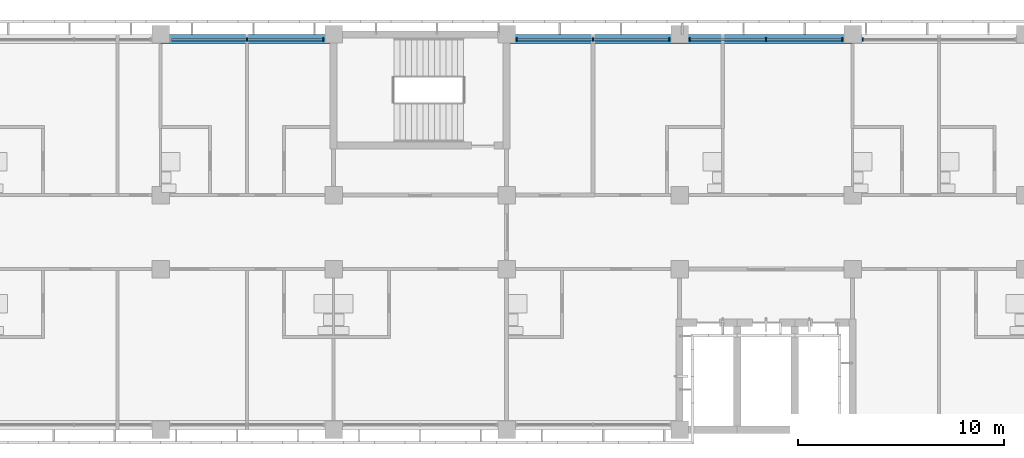
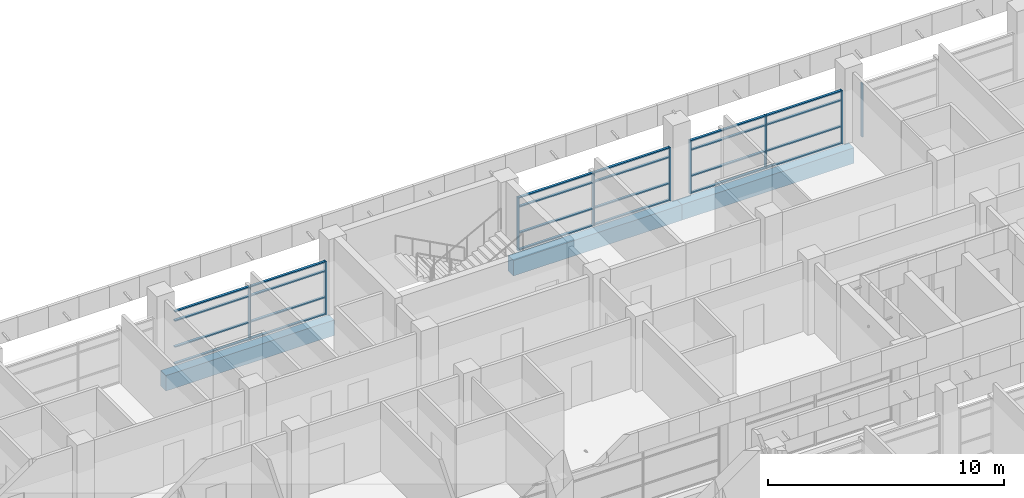
# One storey, part 18 of 74: 33 members, 3 beams, 4 elements without a shape of their own.
"""IFC4 building model written with IfcOpenShell, lengths in metres."""

from ifc_helpers import new_model, si_unit, direction, frame, origin, origin_2d, place, context, subcontext, project, spatial, rectangle, extrude, material, material_profile, profile_set, type_object, element, aggregate, save


model = new_model("IFC4")

# Units and contexts
model_context = context("Model", 3, precision=1e-05, world=origin(), true_north=direction((0.0, 1.0)))
body_context = subcontext(model_context, "Body", "Model", "MODEL_VIEW")
ifc_project = project(units=[si_unit("LENGTHUNIT", "METRE"), si_unit("AREAUNIT", "SQUARE_METRE"), si_unit("VOLUMEUNIT", "CUBIC_METRE"), si_unit("PLANEANGLEUNIT", "RADIAN"), si_unit("MASSUNIT", "GRAM", prefix="KILO")], contexts=[model_context])

# Site, building, storey
site_placement = place(None, origin())
site = spatial("IfcSite", under=ifc_project, at=site_placement, CompositionType="ELEMENT")
building_placement = place(site_placement, origin())
building = spatial("IfcBuilding", under=site, at=building_placement, Name="Bougainvillea Quay General Hospital", CompositionType="ELEMENT")
storey_placement = place(building_placement, frame((0.0, 0.0, 21.0)))
storey = spatial("IfcBuildingStorey", under=building, at=storey_placement, Name="L04", CompositionType="ELEMENT", Elevation=21.0)

# Curtain wall, member
ifc_material_1 = material(Name="Aluminium curtain wall system, powder-coated glazed", Category="aluminium")
curtain_wall_type = type_object("IfcCurtainWallType", Name="Unitised curtain wall CW-3730", PredefinedType="NOTDEFINED", material=ifc_material_1)
curtain_wall_1_placement = place(storey_placement, origin())
curtain_wall_1 = element("IfcCurtainWall", 1, at=curtain_wall_1_placement, inside=storey, type_object=curtain_wall_type, Name="CW-4200 01", PredefinedType="NOTDEFINED")
ifc_material_2 = material(Name="Aluminium mullion, powder-coated charcoal", Category="aluminium")
ifc_material_profile_1 = material_profile(ifc_material_2, rectangle(XDim=0.159912109375, YDim=0.06005859375, at=origin_2d()))
ifc_profile_set_1 = profile_set([ifc_material_profile_1], Name="Aluminium mullion, powder-coated charcoal")
member_type_1 = type_object("IfcMemberType", Name="Curtain wall mullion 160x60", PredefinedType="MULLION", material=ifc_profile_set_1)
member_1_placement = place(storey_placement, frame((160.10009765625, 159.35009765625, 0.0), z_axis=(0.0, 0.0, 1.0), x_axis=(0.0, -1.0, 0.0)))
member_1 = element("IfcMember", 2, at=member_1_placement, type_object=member_type_1, Name="CW-4200 mullion 3", PredefinedType="MULLION", context=body_context, shape_type="SweptSolid", body=[
    extrude(rectangle(XDim=0.159912109375, YDim=0.06005859375, at=origin_2d()), origin(), (0.0, 0.0, 1.0), 2.75),
])
aggregate(curtain_wall_1, [member_1])

# Curtain wall, members
curtain_wall_2_placement = place(storey_placement, origin())
curtain_wall_2 = element("IfcCurtainWall", 3, at=curtain_wall_2_placement, inside=storey, type_object=curtain_wall_type, Name="CW-4200 02", PredefinedType="NOTDEFINED")
member_2_placement = place(storey_placement, frame((159.10009765625, 159.35009765625, 0.0), z_axis=(0.0, 0.0, 1.0), x_axis=(0.0, -1.0, 0.0)))
member_2 = element("IfcMember", 4, at=member_2_placement, type_object=member_type_1, Name="CW-4200 mullion 1", PredefinedType="MULLION", context=body_context, shape_type="SweptSolid", body=[
    extrude(rectangle(XDim=0.159912109375, YDim=0.06005859375, at=origin_2d()), origin(), (0.0, 0.0, 1.0), 2.75),
])
member_3_placement = place(storey_placement, frame((155.39990234375, 159.35009765625, 0.0), z_axis=(0.0, 0.0, 1.0), x_axis=(0.0, -1.0, 0.0)))
member_3 = element("IfcMember", 5, at=member_3_placement, type_object=member_type_1, Name="CW-4200 mullion 2", PredefinedType="MULLION", context=body_context, shape_type="SweptSolid", body=[
    extrude(rectangle(XDim=0.159912109375, YDim=0.06005859375, at=origin_2d()), origin(), (0.0, 0.0, 1.0), 2.75),
])
member_4_placement = place(storey_placement, frame((151.699951171875, 159.35009765625, 0.0), z_axis=(0.0, 0.0, 1.0), x_axis=(0.0, -1.0, 0.0)))
member_4 = element("IfcMember", 6, at=member_4_placement, type_object=member_type_1, Name="CW-4200 mullion 3", PredefinedType="MULLION", context=body_context, shape_type="SweptSolid", body=[
    extrude(rectangle(XDim=0.159912109375, YDim=0.06005859375, at=origin_2d()), origin(), (0.0, 0.0, 1.0), 2.75),
])

curtain_wall_3_placement = place(storey_placement, origin())
curtain_wall_3 = element("IfcCurtainWall", 7, at=curtain_wall_3_placement, inside=storey, type_object=curtain_wall_type, Name="CW-4200 03", PredefinedType="NOTDEFINED")
member_5_placement = place(storey_placement, frame((150.699951171875, 159.35009765625, 0.0), z_axis=(0.0, 0.0, 1.0), x_axis=(0.0, -1.0, 0.0)))
member_5 = element("IfcMember", 8, at=member_5_placement, type_object=member_type_1, Name="CW-4200 mullion 1", PredefinedType="MULLION", context=body_context, shape_type="SweptSolid", body=[
    extrude(rectangle(XDim=0.159912109375, YDim=0.06005859375, at=origin_2d()), origin(), (0.0, 0.0, 1.0), 2.75),
])
member_6_placement = place(storey_placement, frame((147.0, 159.35009765625, 0.0), z_axis=(0.0, 0.0, 1.0), x_axis=(0.0, -1.0, 0.0)))
member_6 = element("IfcMember", 9, at=member_6_placement, type_object=member_type_1, Name="CW-4200 mullion 2", PredefinedType="MULLION", context=body_context, shape_type="SweptSolid", body=[
    extrude(rectangle(XDim=0.159912109375, YDim=0.06005859375, at=origin_2d()), origin(), (0.0, 0.0, 1.0), 2.75),
])
member_7_placement = place(storey_placement, frame((143.300048828125, 159.35009765625, 0.0), z_axis=(0.0, 0.0, 1.0), x_axis=(0.0, -1.0, 0.0)))
member_7 = element("IfcMember", 10, at=member_7_placement, type_object=member_type_1, Name="CW-4200 mullion 3", PredefinedType="MULLION", context=body_context, shape_type="SweptSolid", body=[
    extrude(rectangle(XDim=0.159912109375, YDim=0.06005859375, at=origin_2d()), origin(), (0.0, 0.0, 1.0), 2.75),
])

curtain_wall_4_placement = place(storey_placement, origin())
curtain_wall_4 = element("IfcCurtainWall", 11, at=curtain_wall_4_placement, inside=storey, type_object=curtain_wall_type, Name="CW-4200 04", PredefinedType="NOTDEFINED")
member_8_placement = place(storey_placement, frame((133.89990234375, 159.35009765625, 0.0), z_axis=(0.0, 0.0, 1.0), x_axis=(0.0, -1.0, 0.0)))
member_8 = element("IfcMember", 12, at=member_8_placement, type_object=member_type_1, Name="CW-4200 mullion 1", PredefinedType="MULLION", context=body_context, shape_type="SweptSolid", body=[
    extrude(rectangle(XDim=0.159912109375, YDim=0.06005859375, at=origin_2d()), origin(), (0.0, 0.0, 1.0), 2.75),
])
member_9_placement = place(storey_placement, frame((130.199951171875, 159.35009765625, 0.0), z_axis=(0.0, 0.0, 1.0), x_axis=(0.0, -1.0, 0.0)))
member_9 = element("IfcMember", 13, at=member_9_placement, type_object=member_type_1, Name="CW-4200 mullion 2", PredefinedType="MULLION", context=body_context, shape_type="SweptSolid", body=[
    extrude(rectangle(XDim=0.159912109375, YDim=0.06005859375, at=origin_2d()), origin(), (0.0, 0.0, 1.0), 2.75),
])

# Member
ifc_material_3 = material(Name="Aluminium transom, powder-coated charcoal", Category="aluminium")
ifc_material_profile_2 = material_profile(ifc_material_3, rectangle(XDim=0.1201171875, YDim=0.06005859375, at=origin_2d()))
ifc_profile_set_2 = profile_set([ifc_material_profile_2], Name="Aluminium transom, powder-coated charcoal")
member_type_2 = type_object("IfcMemberType", Name="Curtain wall transom 120x60", PredefinedType="USERDEFINED", material=ifc_profile_set_2)
member_10_placement = place(storey_placement, frame((159.070068359375, 159.35009765625, 0.030029296875), z_axis=(-1.0, 0.0, 0.0), x_axis=(0.0, -1.0, 0.0)))
member_10 = element("IfcMember", 14, at=member_10_placement, type_object=member_type_2, Name="CW-4200 transom 1.1", ObjectType="TRANSOM", PredefinedType="USERDEFINED", context=body_context, shape_type="SweptSolid", body=[
    extrude(rectangle(XDim=0.1201171875, YDim=0.06005859375, at=origin_2d()), origin(), (0.0, 0.0, 1.0), 3.64013671875),
])

member_11_placement = place(storey_placement, frame((159.070068359375, 159.35009765625, 0.89990234375), z_axis=(-1.0, 0.0, 0.0), x_axis=(0.0, -1.0, 0.0)))
member_11 = element("IfcMember", 15, at=member_11_placement, type_object=member_type_2, Name="CW-4200 transom 1.2", ObjectType="TRANSOM", PredefinedType="USERDEFINED", context=body_context, shape_type="SweptSolid", body=[
    extrude(rectangle(XDim=0.1201171875, YDim=0.06005859375, at=origin_2d()), origin(), (0.0, 0.0, 1.0), 3.64013671875),
])

member_12_placement = place(storey_placement, frame((159.070068359375, 159.35009765625, 2.25), z_axis=(-1.0, 0.0, 0.0), x_axis=(0.0, -1.0, 0.0)))
member_12 = element("IfcMember", 16, at=member_12_placement, type_object=member_type_2, Name="CW-4200 transom 1.3", ObjectType="TRANSOM", PredefinedType="USERDEFINED", context=body_context, shape_type="SweptSolid", body=[
    extrude(rectangle(XDim=0.1201171875, YDim=0.06005859375, at=origin_2d()), origin(), (0.0, 0.0, 1.0), 3.64013671875),
])

member_13_placement = place(storey_placement, frame((159.070068359375, 159.35009765625, 2.719970703125), z_axis=(-1.0, 0.0, 0.0), x_axis=(0.0, -1.0, 0.0)))
member_13 = element("IfcMember", 17, at=member_13_placement, type_object=member_type_2, Name="CW-4200 transom 1.4", ObjectType="TRANSOM", PredefinedType="USERDEFINED", context=body_context, shape_type="SweptSolid", body=[
    extrude(rectangle(XDim=0.1201171875, YDim=0.06005859375, at=origin_2d()), origin(), (0.0, 0.0, 1.0), 3.64013671875),
])

member_14_placement = place(storey_placement, frame((155.3701171875, 159.35009765625, 0.030029296875), z_axis=(-1.0, 0.0, 0.0), x_axis=(0.0, -1.0, 0.0)))
member_14 = element("IfcMember", 18, at=member_14_placement, type_object=member_type_2, Name="CW-4200 transom 2.1", ObjectType="TRANSOM", PredefinedType="USERDEFINED", context=body_context, shape_type="SweptSolid", body=[
    extrude(rectangle(XDim=0.1201171875, YDim=0.06005859375, at=origin_2d()), origin(), (0.0, 0.0, 1.0), 3.64013671875),
])

member_15_placement = place(storey_placement, frame((155.3701171875, 159.35009765625, 0.89990234375), z_axis=(-1.0, 0.0, 0.0), x_axis=(0.0, -1.0, 0.0)))
member_15 = element("IfcMember", 19, at=member_15_placement, type_object=member_type_2, Name="CW-4200 transom 2.2", ObjectType="TRANSOM", PredefinedType="USERDEFINED", context=body_context, shape_type="SweptSolid", body=[
    extrude(rectangle(XDim=0.1201171875, YDim=0.06005859375, at=origin_2d()), origin(), (0.0, 0.0, 1.0), 3.64013671875),
])

member_16_placement = place(storey_placement, frame((155.3701171875, 159.35009765625, 2.25), z_axis=(-1.0, 0.0, 0.0), x_axis=(0.0, -1.0, 0.0)))
member_16 = element("IfcMember", 20, at=member_16_placement, type_object=member_type_2, Name="CW-4200 transom 2.3", ObjectType="TRANSOM", PredefinedType="USERDEFINED", context=body_context, shape_type="SweptSolid", body=[
    extrude(rectangle(XDim=0.1201171875, YDim=0.06005859375, at=origin_2d()), origin(), (0.0, 0.0, 1.0), 3.64013671875),
])

member_17_placement = place(storey_placement, frame((155.3701171875, 159.35009765625, 2.719970703125), z_axis=(-1.0, 0.0, 0.0), x_axis=(0.0, -1.0, 0.0)))
member_17 = element("IfcMember", 21, at=member_17_placement, type_object=member_type_2, Name="CW-4200 transom 2.4", ObjectType="TRANSOM", PredefinedType="USERDEFINED", context=body_context, shape_type="SweptSolid", body=[
    extrude(rectangle(XDim=0.1201171875, YDim=0.06005859375, at=origin_2d()), origin(), (0.0, 0.0, 1.0), 3.64013671875),
])

aggregate(curtain_wall_2, [member_2, member_3, member_4, member_10, member_11, member_12, member_13, member_14, member_15, member_16, member_17])

member_18_placement = place(storey_placement, frame((150.669921875, 159.35009765625, 0.030029296875), z_axis=(-1.0, 0.0, 0.0), x_axis=(0.0, -1.0, 0.0)))
member_18 = element("IfcMember", 22, at=member_18_placement, type_object=member_type_2, Name="CW-4200 transom 1.1", ObjectType="TRANSOM", PredefinedType="USERDEFINED", context=body_context, shape_type="SweptSolid", body=[
    extrude(rectangle(XDim=0.1201171875, YDim=0.06005859375, at=origin_2d()), origin(), (0.0, 0.0, 1.0), 3.639892578125),
])

member_19_placement = place(storey_placement, frame((150.669921875, 159.35009765625, 0.89990234375), z_axis=(-1.0, 0.0, 0.0), x_axis=(0.0, -1.0, 0.0)))
member_19 = element("IfcMember", 23, at=member_19_placement, type_object=member_type_2, Name="CW-4200 transom 1.2", ObjectType="TRANSOM", PredefinedType="USERDEFINED", context=body_context, shape_type="SweptSolid", body=[
    extrude(rectangle(XDim=0.1201171875, YDim=0.06005859375, at=origin_2d()), origin(), (0.0, 0.0, 1.0), 3.639892578125),
])

member_20_placement = place(storey_placement, frame((150.669921875, 159.35009765625, 2.25), z_axis=(-1.0, 0.0, 0.0), x_axis=(0.0, -1.0, 0.0)))
member_20 = element("IfcMember", 24, at=member_20_placement, type_object=member_type_2, Name="CW-4200 transom 1.3", ObjectType="TRANSOM", PredefinedType="USERDEFINED", context=body_context, shape_type="SweptSolid", body=[
    extrude(rectangle(XDim=0.1201171875, YDim=0.06005859375, at=origin_2d()), origin(), (0.0, 0.0, 1.0), 3.639892578125),
])

member_21_placement = place(storey_placement, frame((150.669921875, 159.35009765625, 2.719970703125), z_axis=(-1.0, 0.0, 0.0), x_axis=(0.0, -1.0, 0.0)))
member_21 = element("IfcMember", 25, at=member_21_placement, type_object=member_type_2, Name="CW-4200 transom 1.4", ObjectType="TRANSOM", PredefinedType="USERDEFINED", context=body_context, shape_type="SweptSolid", body=[
    extrude(rectangle(XDim=0.1201171875, YDim=0.06005859375, at=origin_2d()), origin(), (0.0, 0.0, 1.0), 3.639892578125),
])

member_22_placement = place(storey_placement, frame((146.969970703125, 159.35009765625, 0.030029296875), z_axis=(-1.0, 0.0, 0.0), x_axis=(0.0, -1.0, 0.0)))
member_22 = element("IfcMember", 26, at=member_22_placement, type_object=member_type_2, Name="CW-4200 transom 2.1", ObjectType="TRANSOM", PredefinedType="USERDEFINED", context=body_context, shape_type="SweptSolid", body=[
    extrude(rectangle(XDim=0.1201171875, YDim=0.06005859375, at=origin_2d()), origin(), (0.0, 0.0, 1.0), 3.639892578125),
])

member_23_placement = place(storey_placement, frame((146.969970703125, 159.35009765625, 0.89990234375), z_axis=(-1.0, 0.0, 0.0), x_axis=(0.0, -1.0, 0.0)))
member_23 = element("IfcMember", 27, at=member_23_placement, type_object=member_type_2, Name="CW-4200 transom 2.2", ObjectType="TRANSOM", PredefinedType="USERDEFINED", context=body_context, shape_type="SweptSolid", body=[
    extrude(rectangle(XDim=0.1201171875, YDim=0.06005859375, at=origin_2d()), origin(), (0.0, 0.0, 1.0), 3.639892578125),
])

member_24_placement = place(storey_placement, frame((146.969970703125, 159.35009765625, 2.25), z_axis=(-1.0, 0.0, 0.0), x_axis=(0.0, -1.0, 0.0)))
member_24 = element("IfcMember", 28, at=member_24_placement, type_object=member_type_2, Name="CW-4200 transom 2.3", ObjectType="TRANSOM", PredefinedType="USERDEFINED", context=body_context, shape_type="SweptSolid", body=[
    extrude(rectangle(XDim=0.1201171875, YDim=0.06005859375, at=origin_2d()), origin(), (0.0, 0.0, 1.0), 3.639892578125),
])

member_25_placement = place(storey_placement, frame((146.969970703125, 159.35009765625, 2.719970703125), z_axis=(-1.0, 0.0, 0.0), x_axis=(0.0, -1.0, 0.0)))
member_25 = element("IfcMember", 29, at=member_25_placement, type_object=member_type_2, Name="CW-4200 transom 2.4", ObjectType="TRANSOM", PredefinedType="USERDEFINED", context=body_context, shape_type="SweptSolid", body=[
    extrude(rectangle(XDim=0.1201171875, YDim=0.06005859375, at=origin_2d()), origin(), (0.0, 0.0, 1.0), 3.639892578125),
])

aggregate(curtain_wall_3, [member_5, member_6, member_7, member_18, member_19, member_20, member_21, member_22, member_23, member_24, member_25])

member_26_placement = place(storey_placement, frame((133.8701171875, 159.35009765625, 0.030029296875), z_axis=(-1.0, 0.0, 0.0), x_axis=(0.0, -1.0, 0.0)))
member_26 = element("IfcMember", 30, at=member_26_placement, type_object=member_type_2, Name="CW-4200 transom 1.1", ObjectType="TRANSOM", PredefinedType="USERDEFINED", context=body_context, shape_type="SweptSolid", body=[
    extrude(rectangle(XDim=0.1201171875, YDim=0.06005859375, at=origin_2d()), origin(), (0.0, 0.0, 1.0), 3.64013671875),
])

member_27_placement = place(storey_placement, frame((133.8701171875, 159.35009765625, 0.89990234375), z_axis=(-1.0, 0.0, 0.0), x_axis=(0.0, -1.0, 0.0)))
member_27 = element("IfcMember", 31, at=member_27_placement, type_object=member_type_2, Name="CW-4200 transom 1.2", ObjectType="TRANSOM", PredefinedType="USERDEFINED", context=body_context, shape_type="SweptSolid", body=[
    extrude(rectangle(XDim=0.1201171875, YDim=0.06005859375, at=origin_2d()), origin(), (0.0, 0.0, 1.0), 3.64013671875),
])

member_28_placement = place(storey_placement, frame((133.8701171875, 159.35009765625, 2.25), z_axis=(-1.0, 0.0, 0.0), x_axis=(0.0, -1.0, 0.0)))
member_28 = element("IfcMember", 32, at=member_28_placement, type_object=member_type_2, Name="CW-4200 transom 1.3", ObjectType="TRANSOM", PredefinedType="USERDEFINED", context=body_context, shape_type="SweptSolid", body=[
    extrude(rectangle(XDim=0.1201171875, YDim=0.06005859375, at=origin_2d()), origin(), (0.0, 0.0, 1.0), 3.64013671875),
])

member_29_placement = place(storey_placement, frame((133.8701171875, 159.35009765625, 2.719970703125), z_axis=(-1.0, 0.0, 0.0), x_axis=(0.0, -1.0, 0.0)))
member_29 = element("IfcMember", 33, at=member_29_placement, type_object=member_type_2, Name="CW-4200 transom 1.4", ObjectType="TRANSOM", PredefinedType="USERDEFINED", context=body_context, shape_type="SweptSolid", body=[
    extrude(rectangle(XDim=0.1201171875, YDim=0.06005859375, at=origin_2d()), origin(), (0.0, 0.0, 1.0), 3.64013671875),
])

member_30_placement = place(storey_placement, frame((130.169921875, 159.35009765625, 0.030029296875), z_axis=(-1.0, 0.0, 0.0), x_axis=(0.0, -1.0, 0.0)))
member_30 = element("IfcMember", 34, at=member_30_placement, type_object=member_type_2, Name="CW-4200 transom 2.1", ObjectType="TRANSOM", PredefinedType="USERDEFINED", context=body_context, shape_type="SweptSolid", body=[
    extrude(rectangle(XDim=0.1201171875, YDim=0.06005859375, at=origin_2d()), origin(), (0.0, 0.0, 1.0), 3.639892578125),
])

member_31_placement = place(storey_placement, frame((130.169921875, 159.35009765625, 0.89990234375), z_axis=(-1.0, 0.0, 0.0), x_axis=(0.0, -1.0, 0.0)))
member_31 = element("IfcMember", 35, at=member_31_placement, type_object=member_type_2, Name="CW-4200 transom 2.2", ObjectType="TRANSOM", PredefinedType="USERDEFINED", context=body_context, shape_type="SweptSolid", body=[
    extrude(rectangle(XDim=0.1201171875, YDim=0.06005859375, at=origin_2d()), origin(), (0.0, 0.0, 1.0), 3.639892578125),
])

member_32_placement = place(storey_placement, frame((130.169921875, 159.35009765625, 2.25), z_axis=(-1.0, 0.0, 0.0), x_axis=(0.0, -1.0, 0.0)))
member_32 = element("IfcMember", 36, at=member_32_placement, type_object=member_type_2, Name="CW-4200 transom 2.3", ObjectType="TRANSOM", PredefinedType="USERDEFINED", context=body_context, shape_type="SweptSolid", body=[
    extrude(rectangle(XDim=0.1201171875, YDim=0.06005859375, at=origin_2d()), origin(), (0.0, 0.0, 1.0), 3.639892578125),
])

member_33_placement = place(storey_placement, frame((130.169921875, 159.35009765625, 2.719970703125), z_axis=(-1.0, 0.0, 0.0), x_axis=(0.0, -1.0, 0.0)))
member_33 = element("IfcMember", 37, at=member_33_placement, type_object=member_type_2, Name="CW-4200 transom 2.4", ObjectType="TRANSOM", PredefinedType="USERDEFINED", context=body_context, shape_type="SweptSolid", body=[
    extrude(rectangle(XDim=0.1201171875, YDim=0.06005859375, at=origin_2d()), origin(), (0.0, 0.0, 1.0), 3.639892578125),
])

aggregate(curtain_wall_4, [member_8, member_9, member_26, member_27, member_28, member_29, member_30, member_31, member_32, member_33])

# Beams
ifc_material_4 = material(Name="Concrete C40", Category="concrete")
ifc_material_profile_3 = material_profile(ifc_material_4, rectangle(XDim=0.449951171875, YDim=0.800048828125, at=origin_2d()))
ifc_profile_set_3 = profile_set([ifc_material_profile_3], Name="Concrete C40")
beam_type = type_object("IfcBeamType", Name="RC BEAM 450x800 C40", PredefinedType="BEAM", material=ifc_profile_set_3)
beam_1_placement = place(storey_placement, frame((159.60009765625, 159.375, -0.699951171875), z_axis=(-1.0, 0.0, 0.0), x_axis=(0.0, -1.0, 0.0)))
element("IfcBeam", 38, at=beam_1_placement, inside=storey, type_object=beam_type, Name="Edge beam L04", PredefinedType="BEAM", context=body_context, shape_type="SweptSolid", body=[
    extrude(rectangle(XDim=0.449951171875, YDim=0.800048828125, at=origin_2d()), origin(), (0.0, 0.0, 1.0), 8.400146484375),
])
beam_2_placement = place(storey_placement, frame((151.199951171875, 159.375, -0.699951171875), z_axis=(-1.0, 0.0, 0.0), x_axis=(0.0, -1.0, 0.0)))
element("IfcBeam", 39, at=beam_2_placement, inside=storey, type_object=beam_type, Name="Edge beam L04", PredefinedType="BEAM", context=body_context, shape_type="SweptSolid", body=[
    extrude(rectangle(XDim=0.449951171875, YDim=0.800048828125, at=origin_2d()), origin(), (0.0, 0.0, 1.0), 8.224853515625),
])
beam_3_placement = place(storey_placement, frame((134.22509765625, 159.375, -0.699951171875), z_axis=(-1.0, 0.0, 0.0), x_axis=(0.0, -1.0, 0.0)))
element("IfcBeam", 40, at=beam_3_placement, inside=storey, type_object=beam_type, Name="Edge beam L04", PredefinedType="BEAM", context=body_context, shape_type="SweptSolid", body=[
    extrude(rectangle(XDim=0.449951171875, YDim=0.800048828125, at=origin_2d()), origin(), (0.0, 0.0, 1.0), 8.22509765625),
])

save(model, "model.ifc")
